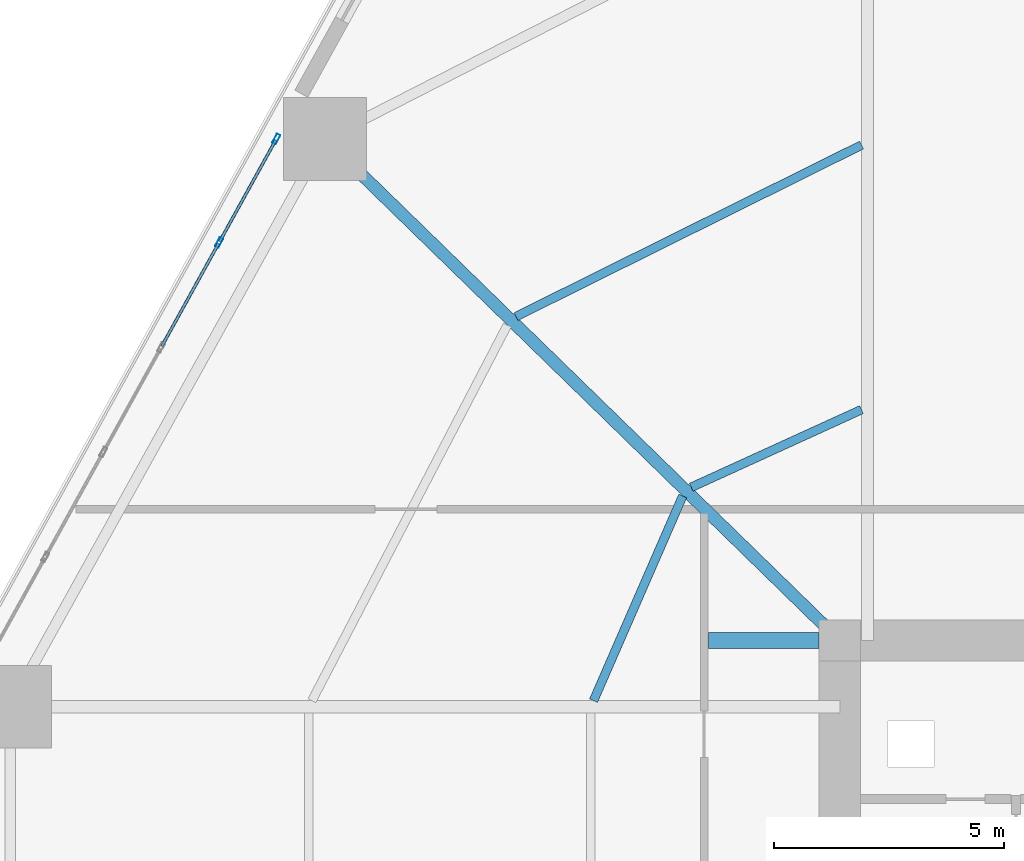
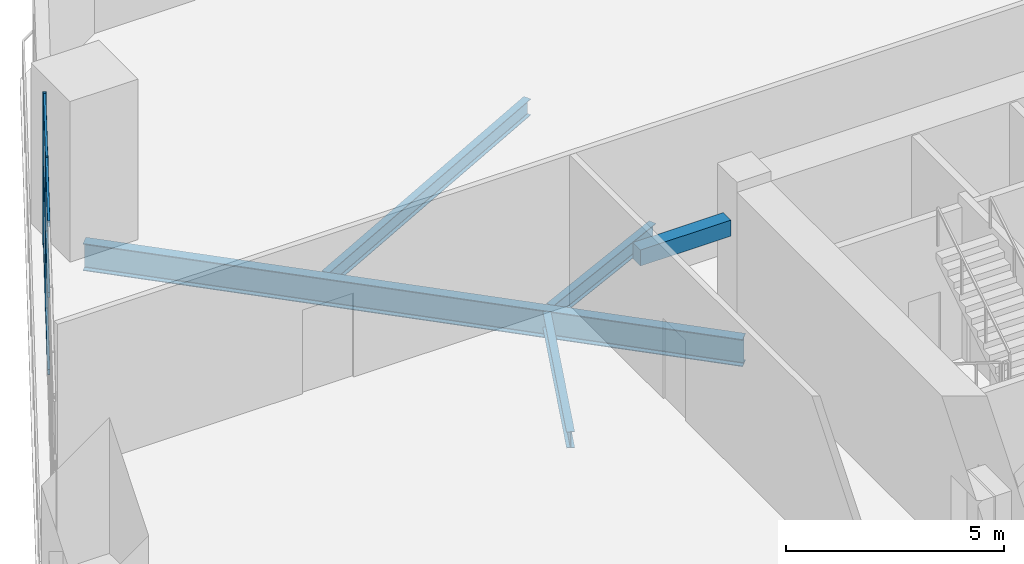
# One storey, part 7 of 18: 8 members, 5 beams, 1 element without a shape of its own.
"""IFC4 building model written with IfcOpenShell, lengths in metres."""

from ifc_helpers import new_model, si_unit, direction, frame, origin, origin_2d, place, context, subcontext, project, spatial, rectangle, hollow_rectangle, i_section, extrude, material, layer, layer_set, material_profile, profile_set, type_object, element, aggregate, save


model = new_model("IFC4")

# Units and contexts
model_context = context("Model", 3, precision=1e-05, world=origin(), true_north=direction((0.0, 1.0)))
body_context = subcontext(model_context, "Body", "Model", "MODEL_VIEW")
ifc_project = project(units=[si_unit("LENGTHUNIT", "METRE"), si_unit("AREAUNIT", "SQUARE_METRE"), si_unit("VOLUMEUNIT", "CUBIC_METRE"), si_unit("PLANEANGLEUNIT", "RADIAN"), si_unit("MASSUNIT", "GRAM", prefix="KILO")], contexts=[model_context])

# Site, building, storey
site_placement = place(None, origin())
site = spatial("IfcSite", under=ifc_project, at=site_placement, CompositionType="ELEMENT")
building_placement = place(site_placement, origin())
building = spatial("IfcBuilding", under=site, at=building_placement, Name="Cinnabar Lancet Tower", CompositionType="ELEMENT")
storey_placement = place(building_placement, frame((0.0, 0.0, 15.0)))
storey = spatial("IfcBuildingStorey", under=building, at=storey_placement, Name="L03", CompositionType="ELEMENT", Elevation=15.0)

# Curtain wall, members
ifc_material_1 = material(Name="Thermally broken bronze-anodized aluminium and low-E glass", Category="aluminium")
ifc_layer = layer(ifc_material_1, 0.179931640625)
ifc_layer_set = layer_set([ifc_layer], Name="Thermally broken bronze-anodized aluminium and low-E glass")
curtain_wall_type = type_object("IfcCurtainWallType", Name="ENV-CW-SYS-02", PredefinedType="NOTDEFINED", material=ifc_layer_set)
curtain_wall_placement = place(storey_placement, origin())
curtain_wall = element("IfcCurtainWall", 1, at=curtain_wall_placement, inside=storey, type_object=curtain_wall_type, Name="L03 Face 5 Feature Curtain Wall", PredefinedType="NOTDEFINED")
ifc_material_2 = material(Name="Anodized architectural aluminium 6063-T6", Category="aluminium")
ifc_material_profile_1 = material_profile(ifc_material_2, hollow_rectangle(XDim=0.0849609375, YDim=0.219970703125, WallThickness=0.0048828125, InnerFilletRadius=0.00244140625, OuterFilletRadius=0.007568359375, at=origin_2d()), Name="CW-MUL 220x85x5")
ifc_profile_set_1 = profile_set([ifc_material_profile_1], Name="Anodized architectural aluminium 6063-T6")
member_type_1 = type_object("IfcMemberType", Name="ENV-CW-MUL-220", PredefinedType="MULLION", material=ifc_profile_set_1)
member_1_placement = place(storey_placement, frame((10.699462890625, 44.253662109375, 0.0), z_axis=(0.0, 0.0, 1.0), x_axis=(0.875242391442, -0.48368456273, 0.0)))
member_1 = element("IfcMember", 2, at=member_1_placement, type_object=member_type_1, Name="CW-02 mullion 1", PredefinedType="MULLION", context=body_context, shape_type="SweptSolid", body=[
    extrude(hollow_rectangle(XDim=0.0849609375, YDim=0.219970703125, WallThickness=0.0048828125, InnerFilletRadius=0.00244140625, OuterFilletRadius=0.007568359375, at=origin_2d()), origin(), (0.0, 0.0, 1.0), 4.219970703125),
])
member_2_placement = place(storey_placement, frame((9.455078125, 42.001708984375, 0.0), z_axis=(0.0, 0.0, 1.0), x_axis=(0.875242391442, -0.48368456273, 0.0)))
member_2 = element("IfcMember", 3, at=member_2_placement, type_object=member_type_1, Name="CW-02 mullion 2", PredefinedType="MULLION", context=body_context, shape_type="SweptSolid", body=[
    extrude(hollow_rectangle(XDim=0.0849609375, YDim=0.219970703125, WallThickness=0.0048828125, InnerFilletRadius=0.00244140625, OuterFilletRadius=0.007568359375, at=origin_2d()), origin(), (0.0, 0.0, 1.0), 4.219970703125),
])
ifc_material_3 = material(Name="Anodized architectural aluminium 6063-T6", Category="aluminium")
ifc_material_profile_2 = material_profile(ifc_material_3, hollow_rectangle(XDim=0.06494140625, YDim=0.14990234375, WallThickness=0.00390625, InnerFilletRadius=0.001953125, OuterFilletRadius=0.006103515625, at=origin_2d()), Name="CW-TRN 150x65x4")
ifc_profile_set_2 = profile_set([ifc_material_profile_2], Name="Anodized architectural aluminium 6063-T6")
member_type_2 = type_object("IfcMemberType", Name="ENV-CW-TRN-160", PredefinedType="USERDEFINED", material=ifc_profile_set_2)
member_3_placement = place(storey_placement, frame((10.68505859375, 44.2275390625, 0.030029296875), z_axis=(-0.483711571576, -0.875227465019, 0.0), x_axis=(0.875227465019, -0.483711571576, 0.0)))
member_3 = element("IfcMember", 4, at=member_3_placement, type_object=member_type_2, Name="CW-02 transom 1.1", ObjectType="TRANSOM", PredefinedType="USERDEFINED", context=body_context, shape_type="SweptSolid", body=[
    extrude(hollow_rectangle(XDim=0.06494140625, YDim=0.14990234375, WallThickness=0.00390625, InnerFilletRadius=0.001953125, OuterFilletRadius=0.006103515625, at=origin_2d()), origin(), (0.0, 0.0, 1.0), 2.512939453125),
])
member_4_placement = place(storey_placement, frame((10.68505859375, 44.2275390625, 2.194091796875), z_axis=(-0.483711571576, -0.875227465019, 0.0), x_axis=(0.875227465019, -0.483711571576, 0.0)))
member_4 = element("IfcMember", 5, at=member_4_placement, type_object=member_type_2, Name="CW-02 transom 1.2", ObjectType="TRANSOM", PredefinedType="USERDEFINED", context=body_context, shape_type="SweptSolid", body=[
    extrude(hollow_rectangle(XDim=0.06494140625, YDim=0.14990234375, WallThickness=0.00390625, InnerFilletRadius=0.001953125, OuterFilletRadius=0.006103515625, at=origin_2d()), origin(), (0.0, 0.0, 1.0), 2.512939453125),
])
member_5_placement = place(storey_placement, frame((10.68505859375, 44.2275390625, 4.18994140625), z_axis=(-0.483711571576, -0.875227465019, 0.0), x_axis=(0.875227465019, -0.483711571576, 0.0)))
member_5 = element("IfcMember", 6, at=member_5_placement, type_object=member_type_2, Name="CW-02 transom 1.3", ObjectType="TRANSOM", PredefinedType="USERDEFINED", context=body_context, shape_type="SweptSolid", body=[
    extrude(hollow_rectangle(XDim=0.06494140625, YDim=0.14990234375, WallThickness=0.00390625, InnerFilletRadius=0.001953125, OuterFilletRadius=0.006103515625, at=origin_2d()), origin(), (0.0, 0.0, 1.0), 2.512939453125),
])
member_6_placement = place(storey_placement, frame((9.4404296875, 41.9755859375, 0.030029296875), z_axis=(-0.483660952196, -0.875255438898, 0.0), x_axis=(0.875255438898, -0.483660952196, 0.0)))
member_6 = element("IfcMember", 7, at=member_6_placement, type_object=member_type_2, Name="CW-02 transom 2.1", ObjectType="TRANSOM", PredefinedType="USERDEFINED", context=body_context, shape_type="SweptSolid", body=[
    extrude(hollow_rectangle(XDim=0.06494140625, YDim=0.14990234375, WallThickness=0.00390625, InnerFilletRadius=0.001953125, OuterFilletRadius=0.006103515625, at=origin_2d()), origin(), (0.0, 0.0, 1.0), 2.54296875),
])
member_7_placement = place(storey_placement, frame((9.4404296875, 41.9755859375, 2.194091796875), z_axis=(-0.483660952196, -0.875255438898, 0.0), x_axis=(0.875255438898, -0.483660952196, 0.0)))
member_7 = element("IfcMember", 8, at=member_7_placement, type_object=member_type_2, Name="CW-02 transom 2.2", ObjectType="TRANSOM", PredefinedType="USERDEFINED", context=body_context, shape_type="SweptSolid", body=[
    extrude(hollow_rectangle(XDim=0.06494140625, YDim=0.14990234375, WallThickness=0.00390625, InnerFilletRadius=0.001953125, OuterFilletRadius=0.006103515625, at=origin_2d()), origin(), (0.0, 0.0, 1.0), 2.54296875),
])
member_8_placement = place(storey_placement, frame((9.4404296875, 41.9755859375, 4.18994140625), z_axis=(-0.483660952196, -0.875255438898, 0.0), x_axis=(0.875255438898, -0.483660952196, 0.0)))
member_8 = element("IfcMember", 9, at=member_8_placement, type_object=member_type_2, Name="CW-02 transom 2.3", ObjectType="TRANSOM", PredefinedType="USERDEFINED", context=body_context, shape_type="SweptSolid", body=[
    extrude(hollow_rectangle(XDim=0.06494140625, YDim=0.14990234375, WallThickness=0.00390625, InnerFilletRadius=0.001953125, OuterFilletRadius=0.006103515625, at=origin_2d()), origin(), (0.0, 0.0, 1.0), 2.54296875),
])
aggregate(curtain_wall, [member_1, member_2, member_3, member_4, member_5, member_6, member_7, member_8])

# Beams
ifc_material_4 = material(Name="Structural steel S355", Category="steel")
ifc_material_profile_3 = material_profile(ifc_material_4, i_section(OverallWidth=0.1904296875, OverallDepth=0.45703125, WebThickness=0.009033203125, FlangeThickness=0.014404296875, FilletRadius=0.01025390625, at=origin_2d()), Name="UKB 457x191x74")
ifc_profile_set_3 = profile_set([ifc_material_profile_3], Name="Structural steel S355")
beam_type_1 = type_object("IfcBeamType", Name="STR-BM-JST-457", PredefinedType="JOIST", material=ifc_profile_set_3)
beam_1_placement = place(storey_placement, frame((23.422119140625, 44.12109375, -0.47900390625), z_axis=(-0.895687488764, -0.444684070404, 0.0), x_axis=(0.444684070404, -0.895687488764, 0.0)))
element("IfcBeam", 10, at=beam_1_placement, inside=storey, type_object=beam_type_1, Name="L03 Secondary Floor Joist 7", PredefinedType="JOIST", context=body_context, shape_type="SweptSolid", body=[
    extrude(i_section(OverallWidth=0.1904296875, OverallDepth=0.45703125, WebThickness=0.009033203125, FlangeThickness=0.014404296875, FilletRadius=0.01025390625, at=origin_2d()), origin(), (0.0, 0.0, 1.0), 8.383544921875),
])
beam_2_placement = place(storey_placement, frame((23.422119140625, 38.368896484375, -0.47900390625), z_axis=(-0.909802346443, -0.415041793567, 0.0), x_axis=(0.415041793567, -0.909802346443, 0.0)))
element("IfcBeam", 11, at=beam_2_placement, inside=storey, type_object=beam_type_1, Name="L03 Secondary Floor Joist 8", PredefinedType="JOIST", context=body_context, shape_type="SweptSolid", body=[
    extrude(i_section(OverallWidth=0.1904296875, OverallDepth=0.45703125, WebThickness=0.009033203125, FlangeThickness=0.014404296875, FilletRadius=0.01025390625, at=origin_2d()), origin(), (0.0, 0.0, 1.0), 4.067138671875),
])
beam_3_placement = place(storey_placement, frame((19.534912109375, 36.490966796875, -0.47900390625), z_axis=(-0.39945428445, -0.916753115421, 0.0), x_axis=(0.916753115421, -0.39945428445, 0.0)))
element("IfcBeam", 12, at=beam_3_placement, inside=storey, type_object=beam_type_1, Name="L03 Secondary Floor Joist 10", PredefinedType="JOIST", context=body_context, shape_type="SweptSolid", body=[
    extrude(i_section(OverallWidth=0.1904296875, OverallDepth=0.45703125, WebThickness=0.009033203125, FlangeThickness=0.014404296875, FilletRadius=0.01025390625, at=origin_2d()), origin(), (0.0, 0.0, 1.0), 4.85400390625),
])
ifc_material_5 = material(Name="Concrete C45/55", Category="concrete")
ifc_material_profile_4 = material_profile(ifc_material_5, rectangle(XDim=0.35009765625, YDim=0.449951171875, at=origin_2d()), Name="RC-LNT 350x450")
ifc_profile_set_4 = profile_set([ifc_material_profile_4], Name="Concrete C45/55")
beam_type_2 = type_object("IfcBeamType", Name="STR-BM-LNT-450", PredefinedType="LINTEL", material=ifc_profile_set_4)
beam_4_placement = place(storey_placement, frame((20.10009765625, 33.35009765625, 3.050048828125), z_axis=(1.0, 0.0, 0.0), x_axis=(0.0, 1.0, 0.0)))
element("IfcBeam", 13, at=beam_4_placement, inside=storey, type_object=beam_type_2, Name="L03 Podium Gallery Arch Lintel NW", PredefinedType="LINTEL", context=body_context, shape_type="SweptSolid", body=[
    extrude(rectangle(XDim=0.35009765625, YDim=0.449951171875, at=origin_2d()), origin(), (0.0, 0.0, 1.0), 2.39990234375),
])
ifc_material_6 = material(Name="Structural steel S355", Category="steel")
ifc_material_profile_5 = material_profile(ifc_material_6, i_section(OverallWidth=0.2666015625, OverallDepth=0.76220703125, WebThickness=0.014404296875, FlangeThickness=0.021484375, FilletRadius=0.0166015625, at=origin_2d()), Name="UKB 762x267x173")
ifc_profile_set_5 = profile_set([ifc_material_profile_5], Name="Structural steel S355")
beam_type_3 = type_object("IfcBeamType", Name="STR-BM-UKB762-173", PredefinedType="BEAM", material=ifc_profile_set_5)
beam_5_placement = place(storey_placement, frame((11.757080078125, 44.256103515625, -0.631103515625), z_axis=(0.716225383515, -0.697869042163, 0.0), x_axis=(0.697869042163, 0.716225383515, 0.0)))
element("IfcBeam", 14, at=beam_5_placement, inside=storey, type_object=beam_type_3, Name="L03 Corner Collector Girder 4", PredefinedType="BEAM", context=body_context, shape_type="SweptSolid", body=[
    extrude(i_section(OverallWidth=0.2666015625, OverallDepth=0.76220703125, WebThickness=0.014404296875, FlangeThickness=0.021484375, FilletRadius=0.0166015625, at=origin_2d()), origin(), (0.0, 0.0, 1.0), 15.627685546875),
])

save(model, "model.ifc")
